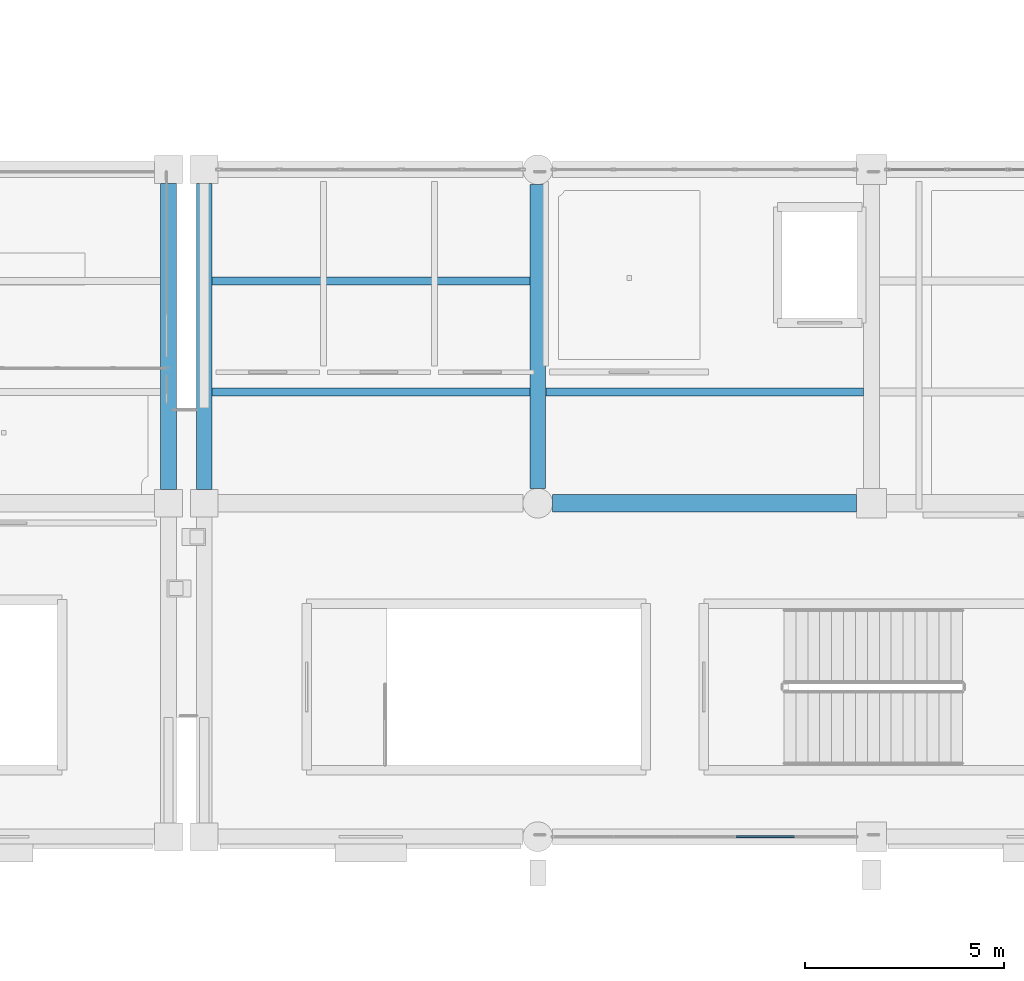
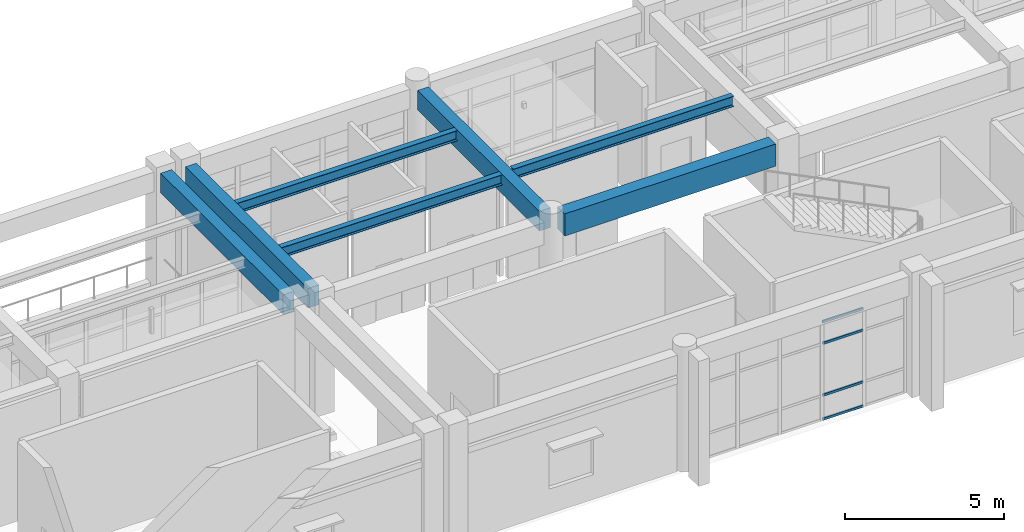
# One storey, part 14 of 111: 7 beams, 4 members, 1 element without a shape of its own.
"""IFC4 building model written with IfcOpenShell, lengths in metres."""

from ifc_helpers import new_model, si_unit, direction, frame, origin, origin_2d, place, context, subcontext, project, spatial, rectangle, hollow_rectangle, i_section, extrude, material, material_profile, profile_set, type_object, element, aggregate, save


model = new_model("IFC4")

# Units and contexts
model_context = context("Model", 3, precision=1e-05, world=origin(), true_north=direction((0.0, 1.0)))
body_context = subcontext(model_context, "Body", "Model", "MODEL_VIEW")
ifc_project = project(units=[si_unit("LENGTHUNIT", "METRE"), si_unit("AREAUNIT", "SQUARE_METRE"), si_unit("VOLUMEUNIT", "CUBIC_METRE"), si_unit("PLANEANGLEUNIT", "RADIAN"), si_unit("MASSUNIT", "GRAM", prefix="KILO")], contexts=[model_context])

# Site, building, storey
site_placement = place(None, origin())
site = spatial("IfcSite", under=ifc_project, at=site_placement, CompositionType="ELEMENT")
building_placement = place(site_placement, origin())
building = spatial("IfcBuilding", under=site, at=building_placement, Name="Canglan Escarpment Cableway Terminal", CompositionType="ELEMENT")
storey_placement = place(building_placement, frame((0.0, 0.0, 4.800048828125)))
storey = spatial("IfcBuildingStorey", under=building, at=storey_placement, Name="L01", CompositionType="ELEMENT", Elevation=4.800048828125)

# Beams
ifc_material_1 = material(Name="Concrete C40", Category="concrete")
ifc_material_profile_1 = material_profile(ifc_material_1, rectangle(XDim=0.39990234375, YDim=0.75, at=origin_2d()), Name="RC 400x750")
ifc_profile_set_1 = profile_set([ifc_material_profile_1], Name="Concrete C40")
beam_type_1 = type_object("IfcBeamType", Name="BM-RC400x750", PredefinedType="BEAM", material=ifc_profile_set_1)
for number, where, z_axis, x_axis, name in (
    (1, (41.60009765625, 16.75, 4.175048828125), (0.0, 1.0, 0.0), (-1.0, 0.0, 0.0), "Primary transverse girder B-03"),
    (2, (42.5, 16.75, 4.10498046875), (0.0, 1.0, 0.0), (-1.0, 0.0, 0.0), "Primary transverse girder B-03"),
):
    element("IfcBeam", number, at=place(storey_placement, frame(where, z_axis=z_axis, x_axis=x_axis)), inside=storey, type_object=beam_type_1, Name=name, PredefinedType="BEAM", context=body_context, shape_type="SweptSolid", body=[
        extrude(rectangle(XDim=0.39990234375, YDim=0.75, at=origin_2d()), origin(), (0.0, 0.0, 1.0), 7.699951171875),
    ])
beam_1_placement = place(storey_placement, frame((50.89990234375, 16.77490234375, 4.10498046875), z_axis=(0.0, 1.0, 0.0), x_axis=(-1.0, 0.0, 0.0)))
element("IfcBeam", 3, at=beam_1_placement, inside=storey, type_object=beam_type_1, Name="Primary transverse girder B-03", PredefinedType="BEAM", context=body_context, shape_type="SweptSolid", body=[
    extrude(rectangle(XDim=0.39990234375, YDim=0.75, at=origin_2d()), origin(), (0.0, 0.0, 1.0), 7.650146484375),
])
ifc_material_profile_2 = material_profile(ifc_material_1, rectangle(XDim=0.449951171875, YDim=0.85009765625, at=origin_2d()), Name="RC 450x850")
ifc_profile_set_2 = profile_set([ifc_material_profile_2], Name="Concrete C40")
beam_type_2 = type_object("IfcBeamType", Name="BM-RC450x850", PredefinedType="BEAM", material=ifc_profile_set_2)
beam_2_placement = place(storey_placement, frame((51.27490234375, 16.39990234375, 4.125), z_axis=(1.0, 0.0, 0.0), x_axis=(0.0, 1.0, 0.0)))
element("IfcBeam", 4, at=beam_2_placement, inside=storey, type_object=beam_type_2, Name="Primary structural girder B-02", PredefinedType="BEAM", context=body_context, shape_type="SweptSolid", body=[
    extrude(rectangle(XDim=0.449951171875, YDim=0.85009765625, at=origin_2d()), origin(), (0.0, 0.0, 1.0), 7.650146484375),
])

# Curtain wall, members
ifc_material_2 = material(Name="Anodized bronze aluminium and Low-E double glazing", Category="aluminium")
curtain_wall_type = type_object("IfcCurtainWallType", Name="CW-BAY-7650x3775", PredefinedType="NOTDEFINED", material=ifc_material_2)
curtain_wall_placement = place(storey_placement, origin())
curtain_wall = element("IfcCurtainWall", 5, at=curtain_wall_placement, inside=storey, type_object=curtain_wall_type, Name="Classical bay-between-piers glazed curtain wall CW-03", PredefinedType="NOTDEFINED")
ifc_material_3 = material(Name="Thermally broken anodized aluminium 6063-T6", Category="aluminium")
ifc_material_profile_3 = material_profile(ifc_material_3, hollow_rectangle(XDim=0.054931640625, YDim=0.094970703125, WallThickness=0.0029296875, InnerFilletRadius=0.0029296875, OuterFilletRadius=0.006103515625, at=origin_2d()), Name="ALU-TRAN 55x95x3")
ifc_profile_set_3 = profile_set([ifc_material_profile_3], Name="Thermally broken anodized aluminium 6063-T6")
member_type = type_object("IfcMemberType", Name="CWT-01", PredefinedType="USERDEFINED", material=ifc_profile_set_3)
member_1_placement = place(storey_placement, frame((55.89501953125, 8.0, 0.02734375), z_axis=(1.0, 0.0, 0.0), x_axis=(0.0, 1.0, 0.0)))
member_1 = element("IfcMember", 6, at=member_1_placement, type_object=member_type, Name="CW-03 transom 4.1", ObjectType="TRANSOM", PredefinedType="USERDEFINED", context=body_context, shape_type="SweptSolid", body=[
    extrude(hollow_rectangle(XDim=0.054931640625, YDim=0.094970703125, WallThickness=0.0029296875, InnerFilletRadius=0.0029296875, OuterFilletRadius=0.006103515625, at=origin_2d()), origin(), (0.0, 0.0, 1.0), 1.469970703125),
])
member_2_placement = place(storey_placement, frame((55.89501953125, 8.0, 0.949951171875), z_axis=(1.0, 0.0, 0.0), x_axis=(0.0, 1.0, 0.0)))
member_2 = element("IfcMember", 7, at=member_2_placement, type_object=member_type, Name="CW-03 transom 4.2", ObjectType="TRANSOM", PredefinedType="USERDEFINED", context=body_context, shape_type="SweptSolid", body=[
    extrude(hollow_rectangle(XDim=0.054931640625, YDim=0.094970703125, WallThickness=0.0029296875, InnerFilletRadius=0.0029296875, OuterFilletRadius=0.006103515625, at=origin_2d()), origin(), (0.0, 0.0, 1.0), 1.469970703125),
])
member_3_placement = place(storey_placement, frame((55.89501953125, 8.0, 2.93505859375), z_axis=(1.0, 0.0, 0.0), x_axis=(0.0, 1.0, 0.0)))
member_3 = element("IfcMember", 8, at=member_3_placement, type_object=member_type, Name="CW-03 transom 4.3", ObjectType="TRANSOM", PredefinedType="USERDEFINED", context=body_context, shape_type="SweptSolid", body=[
    extrude(hollow_rectangle(XDim=0.054931640625, YDim=0.094970703125, WallThickness=0.0029296875, InnerFilletRadius=0.0029296875, OuterFilletRadius=0.006103515625, at=origin_2d()), origin(), (0.0, 0.0, 1.0), 1.469970703125),
])
member_4_placement = place(storey_placement, frame((55.89501953125, 8.0, 3.757568359375), z_axis=(1.0, 0.0, 0.0), x_axis=(0.0, 1.0, 0.0)))
member_4 = element("IfcMember", 9, at=member_4_placement, type_object=member_type, Name="CW-03 transom 4.4", ObjectType="TRANSOM", PredefinedType="USERDEFINED", context=body_context, shape_type="SweptSolid", body=[
    extrude(hollow_rectangle(XDim=0.054931640625, YDim=0.094970703125, WallThickness=0.0029296875, InnerFilletRadius=0.0029296875, OuterFilletRadius=0.006103515625, at=origin_2d()), origin(), (0.0, 0.0, 1.0), 1.469970703125),
])
aggregate(curtain_wall, [member_1, member_2, member_3, member_4])

# Beams
ifc_material_4 = material(Name="Steel Q355B", Category="steel")
ifc_material_profile_4 = material_profile(ifc_material_4, i_section(OverallWidth=0.199951171875, OverallDepth=0.39990234375, WebThickness=0.008056640625, FlangeThickness=0.012939453125, FilletRadius=0.01611328125, at=origin_2d()), Name="HN 400x200x8x13")
ifc_profile_set_4 = profile_set([ifc_material_profile_4], Name="Steel Q355B")
beam_type_3 = type_object("IfcBeamType", Name="JS-HN400", PredefinedType="JOIST", material=ifc_profile_set_4)
for number, where, z_axis, x_axis, name in (
    (10, (42.699951171875, 19.199951171875, 4.280029296875), (1.0, 0.0, 0.0), (0.0, 1.0, 0.0), "Secondary composite deck joist J-03"),
    (11, (42.699951171875, 22.0, 4.280029296875), (1.0, 0.0, 0.0), (0.0, 1.0, 0.0), "Secondary composite deck joist J-03"),
    (12, (51.10009765625, 19.199951171875, 4.349853515625), (1.0, 0.0, 0.0), (0.0, 1.0, 0.0), "Secondary composite deck joist J-03"),
):
    element("IfcBeam", number, at=place(storey_placement, frame(where, z_axis=z_axis, x_axis=x_axis)), inside=storey, type_object=beam_type_3, Name=name, PredefinedType="JOIST", context=body_context, shape_type="SweptSolid", body=[
        extrude(i_section(OverallWidth=0.199951171875, OverallDepth=0.39990234375, WebThickness=0.008056640625, FlangeThickness=0.012939453125, FilletRadius=0.01611328125, at=origin_2d()), origin(), (0.0, 0.0, 1.0), 8.0),
    ])

save(model, "model.ifc")
